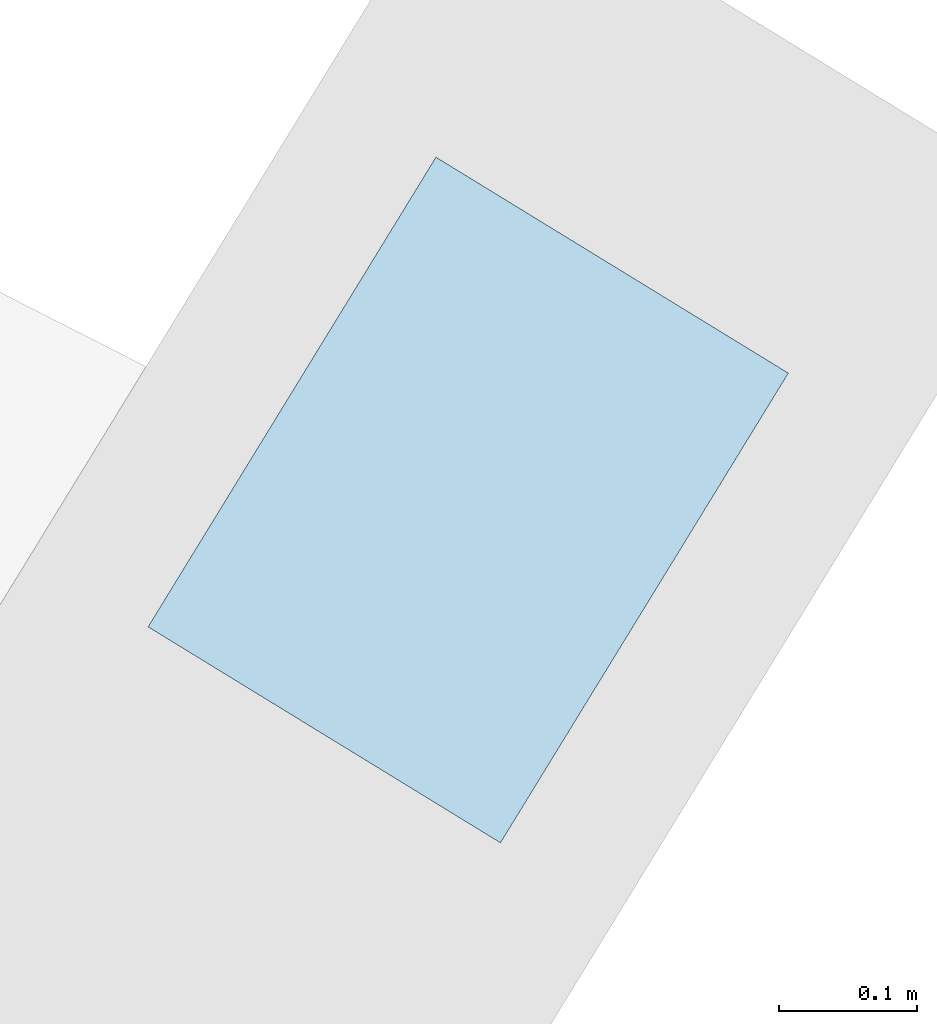
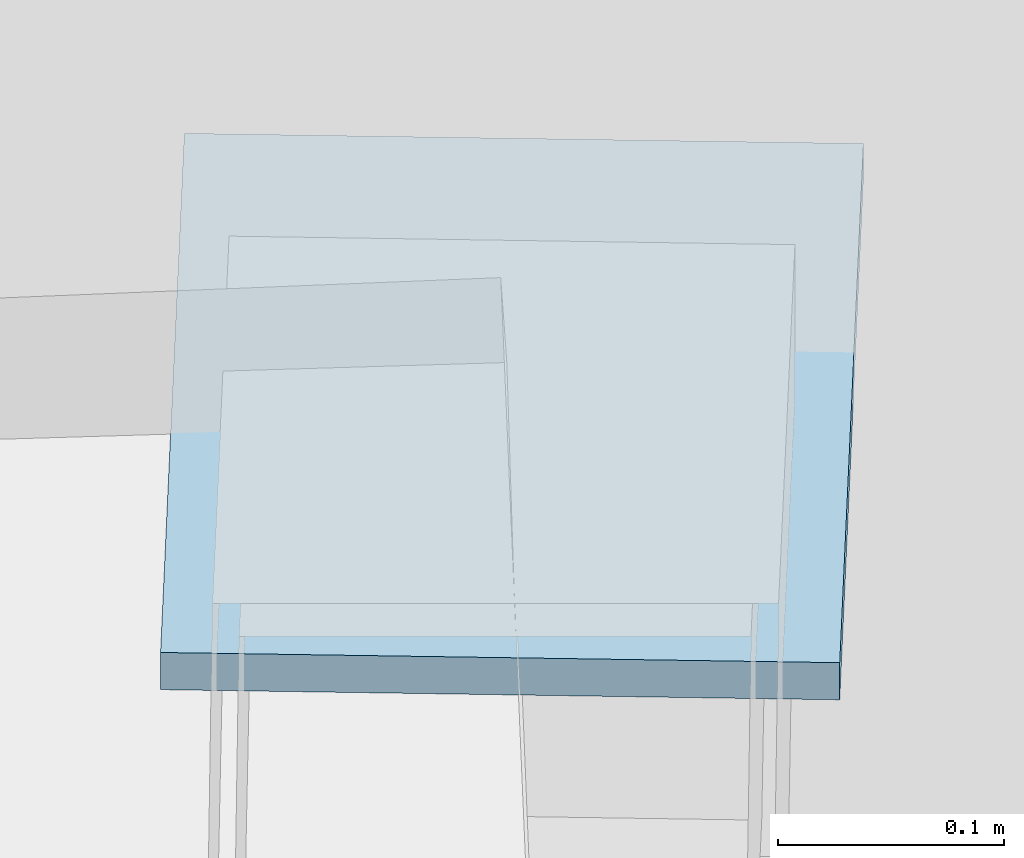
# One storey, part 26 of 34: 1 plate.
"""IFC4 building model written with IfcOpenShell, lengths in metres."""

from ifc_helpers import new_model, si_unit, direction, frame, origin, origin_2d, place, context, subcontext, project, spatial, rectangle, extrude, material, layer, layer_set, type_object, element, save


model = new_model("IFC4")

# Units and contexts
model_context = context("Model", 3, precision=1e-05, world=origin(), true_north=direction((0.0, 1.0)))
body_context = subcontext(model_context, "Body", "Model", "MODEL_VIEW")
ifc_project = project(units=[si_unit("LENGTHUNIT", "METRE"), si_unit("AREAUNIT", "SQUARE_METRE"), si_unit("VOLUMEUNIT", "CUBIC_METRE"), si_unit("PLANEANGLEUNIT", "RADIAN"), si_unit("MASSUNIT", "GRAM", prefix="KILO")], contexts=[model_context])

# Site, building, storey
site_placement = place(None, origin())
site = spatial("IfcSite", under=ifc_project, at=site_placement, CompositionType="ELEMENT")
building_placement = place(site_placement, origin())
building = spatial("IfcBuilding", under=site, at=building_placement, Name="Miralva Faculty of Natural Sciences", CompositionType="ELEMENT")
storey_placement = place(building_placement, frame((0.0, 0.0, 24.0)))
storey = spatial("IfcBuildingStorey", under=building, at=storey_placement, Name="L05", CompositionType="ELEMENT", Elevation=24.0)

# Plate
ifc_material = material(Name="Steel S355", Category="steel")
ifc_layer = layer(ifc_material, 0.02001953125, Name="PLT-BP03")
ifc_layer_set = layer_set([ifc_layer], Name="Steel S355")
plate_type = type_object("IfcPlateType", Name="PLT-BP03", PredefinedType="SHEET", material=ifc_layer_set)
plate_placement = place(storey_placement, frame((121.872314453125, 31.010986328125, -0.02001953125), z_axis=(0.0, 0.0, 1.0), x_axis=(0.522498564716, 0.852640164354, 0.0)))
element("IfcPlate", 1, at=plate_placement, inside=storey, type_object=plate_type, Name="Shell springing bearing plate EB-08-OUT", PredefinedType="SHEET", context=body_context, shape_type="SweptSolid", body=[
    extrude(rectangle(XDim=0.39990234375, YDim=0.300048828125, at=origin_2d()), origin(), (0.0, 0.0, 1.0), 0.02001953125),
])

save(model, "model.ifc")
